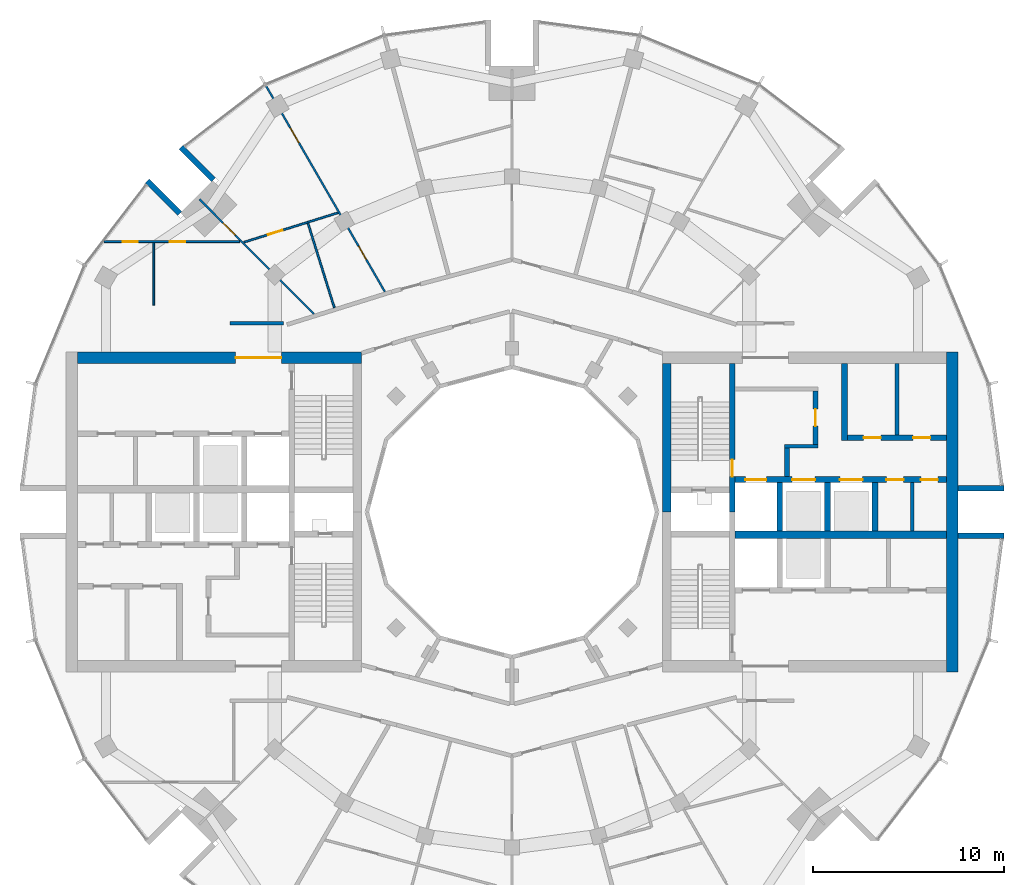
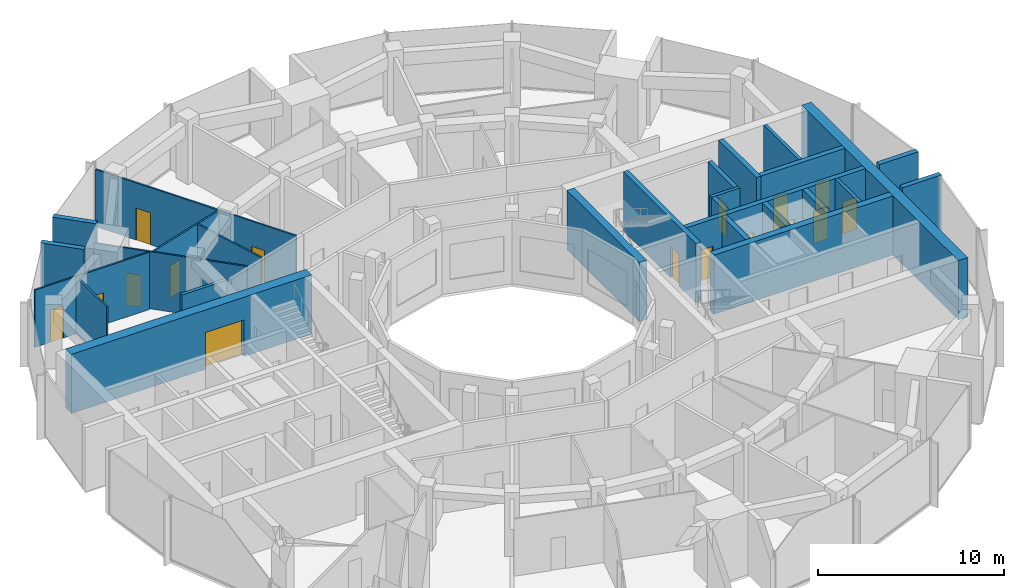
# One storey, part 11 of 15: 27 walls, 16 doors, 16 openings.
"""IFC4 building model written with IfcOpenShell, lengths in metres."""

from ifc_helpers import new_model, si_unit, direction, frame, frame_2d, origin, place, context, subcontext, project, spatial, rectangle, extrude, material, layer, layer_set, type_object, element, fill, save


model = new_model("IFC4")

# Units and contexts
model_context = context("Model", 3, precision=1e-05, world=origin(), true_north=direction((0.0, 1.0)))
body_context = subcontext(model_context, "Body", "Model", "MODEL_VIEW")
ifc_project = project(units=[si_unit("LENGTHUNIT", "METRE"), si_unit("AREAUNIT", "SQUARE_METRE"), si_unit("VOLUMEUNIT", "CUBIC_METRE"), si_unit("PLANEANGLEUNIT", "RADIAN"), si_unit("MASSUNIT", "GRAM", prefix="KILO")], contexts=[model_context])

# Site, building, storey
site_placement = place(None, origin())
site = spatial("IfcSite", under=ifc_project, at=site_placement, CompositionType="ELEMENT")
building_placement = place(site_placement, origin())
building = spatial("IfcBuilding", under=site, at=building_placement, Name="Torre Brocal", CompositionType="ELEMENT")
storey_placement = place(building_placement, frame((0.0, 0.0, 241.5)))
storey = spatial("IfcBuildingStorey", under=building, at=storey_placement, Name="L55", CompositionType="ELEMENT", Elevation=241.5)

# Walls
ifc_material_1 = material(Name="Masonry block", Category="masonry")
ifc_layer_1 = layer(ifc_material_1, 0.199951171875)
ifc_layer_set_1 = layer_set([ifc_layer_1], Name="Masonry block")
wall_type_1 = type_object("IfcWallType", Name="CORE PARTITION 200", PredefinedType="PARTITIONING", material=ifc_layer_set_1)
wall_1_placement = place(storey_placement, frame((101.0, 74.0, 0.0), z_axis=(0.0, 0.0, 1.0), x_axis=(0.0, 1.0, 0.0)))
element("IfcWall", 1, at=wall_1_placement, inside=storey, type_object=wall_type_1, Name="Wall CP200", PredefinedType="PARTITIONING", context=body_context, shape_type="SweptSolid", body=[
    extrude(rectangle(XDim=2.550048828125, YDim=0.199951171875, at=frame_2d((1.27490234375, 0.0))), origin(), (0.0, 0.0, 1.0), 3.8798828125),
])
wall_2_placement = place(storey_placement, frame((100.199951171875, 79.050048828125, 0.0), z_axis=(0.0, 0.0, 1.0), x_axis=(0.0, 1.0, 0.0)))
element("IfcWall", 2, at=wall_2_placement, inside=storey, type_object=wall_type_1, Name="Wall CP200", PredefinedType="PARTITIONING", context=body_context, shape_type="SweptSolid", body=[
    extrude(rectangle(XDim=3.75, YDim=0.199951171875, at=frame_2d((1.875, 0.0))), origin(), (0.0, 0.0, 1.0), 3.8798828125),
])
ifc_material_2 = material(Name="Concrete C60", Category="concrete")
ifc_layer_2 = layer(ifc_material_2, 0.199951171875)
ifc_layer_set_2 = layer_set([ifc_layer_2], Name="Concrete C60")
wall_type_2 = type_object("IfcWallType", Name="CORE WALL 200 C60", PredefinedType="SHEAR", material=ifc_layer_set_2)
wall_3_placement = place(storey_placement, frame((94.300048828125, 78.449951171875, 0.0), z_axis=(0.0, 0.0, 1.0), x_axis=(1.0, 0.0, 0.0)))
element("IfcWall", 3, at=wall_3_placement, inside=storey, type_object=wall_type_2, Name="Wall CW200-60", PredefinedType="SHEAR", context=body_context, shape_type="SweptSolid", body=[
    extrude(rectangle(XDim=1.75, YDim=0.199951171875, at=frame_2d((0.875, 0.0))), origin(), (0.0, 0.0, 1.0), 3.8798828125),
])

# Wall, opening, door
ifc_material_3 = material(Name="Concrete C60", Category="concrete")
ifc_layer_3 = layer(ifc_material_3, 0.25)
ifc_layer_set_3 = layer_set([ifc_layer_3], Name="Concrete C60")
wall_type_3 = type_object("IfcWallType", Name="CORE WALL 250 C60", PredefinedType="SHEAR", material=ifc_layer_set_3)
wall_4_placement = place(storey_placement, frame((95.925048828125, 78.550048828125, 0.0), z_axis=(0.0, 0.0, 1.0), x_axis=(0.0, 1.0, 0.0)))
wall_4 = element("IfcWall", 4, at=wall_4_placement, inside=storey, type_object=wall_type_3, Name="Wall CW250-60", PredefinedType="SHEAR", context=body_context, shape_type="SweptSolid", body=[
    extrude(rectangle(XDim=2.800048828125, YDim=0.25, at=frame_2d((1.39990234375, 0.0))), origin(), (0.0, 0.0, 1.0), 3.8798828125),
])
opening_1_placement = place(wall_4_placement, frame((0.949951171875, 0.0, 0.0)))
opening_1 = element("IfcOpeningElement", 5, at=opening_1_placement, cuts=wall_4, Name="Opening E-D08", PredefinedType="OPENING", context=body_context, shape_type="SweptSolid", body=[
    extrude(rectangle(XDim=0.89990234375, YDim=2.10009765625, at=frame_2d((0.449951171875, 1.050048828125))), frame((0.0, 0.135009765625, 0.0), z_axis=(0.0, -1.0, 0.0), x_axis=(1.0, 0.0, 0.0)), (0.0, 0.0, 1.0), 0.27001953125),
])
ifc_material_4 = material(Name="Steel A653", Category="steel")
door_type_1 = type_object("IfcDoorType", Name="LOBBY DOOR FD120 900X2100", OperationType="SINGLE_SWING_RIGHT", PredefinedType="DOOR", material=ifc_material_4)
door_1_placement = place(opening_1_placement, origin())
door_1 = element("IfcDoor", 6, at=door_1_placement, inside=storey, type_object=door_type_1, Name="Door E-D08", OperationType="SINGLE_SWING_LEFT", OverallHeight=2.10009765625, OverallWidth=0.89990234375, PredefinedType="DOOR", context=body_context, shape_type="SweptSolid", body=[
    extrude(rectangle(XDim=0.89990234375, YDim=2.10009765625, at=frame_2d((0.449951171875, 1.050048828125))), frame((0.0, 0.02490234375, 0.0), z_axis=(0.0, -1.0, 0.0), x_axis=(1.0, 0.0, 0.0)), (0.0, 0.0, 1.0), 0.050048828125),
])
fill(opening_1, door_1)

# Wall
wall_5_placement = place(storey_placement, frame((94.425048828125, 76.85009765625, 0.0), z_axis=(0.0, 0.0, 1.0), x_axis=(0.0, 1.0, 0.0)))
element("IfcWall", 7, at=wall_5_placement, inside=storey, type_object=wall_type_3, Name="Wall CW250-60", PredefinedType="SHEAR", context=body_context, shape_type="SweptSolid", body=[
    extrude(rectangle(XDim=1.5, YDim=0.25, at=frame_2d((0.75, 0.0))), origin(), (0.0, 0.0, 1.0), 3.8798828125),
])

# Wall, opening, door
ifc_material_5 = material(Name="Concrete C60", Category="concrete")
ifc_layer_4 = layer(ifc_material_5, 0.300048828125)
ifc_layer_set_4 = layer_set([ifc_layer_4], Name="Concrete C60")
wall_type_4 = type_object("IfcWallType", Name="CORE WALL 300 C60", PredefinedType="SHEAR", material=ifc_layer_set_4)
wall_6_placement = place(storey_placement, frame((91.550048828125, 75.0, 0.0), z_axis=(0.0, 0.0, 1.0), x_axis=(0.0, 1.0, 0.0)))
wall_6 = element("IfcWall", 8, at=wall_6_placement, inside=storey, type_object=wall_type_4, Name="Wall CW300-60", PredefinedType="SHEAR", context=body_context, shape_type="SweptSolid", body=[
    extrude(rectangle(XDim=7.800048828125, YDim=0.300048828125, at=frame_2d((3.89990234375, 0.0))), origin(), (0.0, 0.0, 1.0), 3.8798828125),
])
opening_2_placement = place(wall_6_placement, frame((1.85009765625, 0.0, 0.0)))
opening_2 = element("IfcOpeningElement", 9, at=opening_2_placement, cuts=wall_6, Name="Opening E-D02", PredefinedType="OPENING", context=body_context, shape_type="SweptSolid", body=[
    extrude(rectangle(XDim=0.89990234375, YDim=2.10009765625, at=frame_2d((0.449951171875, 1.050048828125))), frame((0.0, 0.159912109375, 0.0), z_axis=(0.0, -1.0, 0.0), x_axis=(1.0, 0.0, 0.0)), (0.0, 0.0, 1.0), 0.320068359375),
])
ifc_material_6 = material(Name="Steel A653", Category="steel")
door_type_2 = type_object("IfcDoorType", Name="STAIR DOOR FD120 900X2100", OperationType="SINGLE_SWING_RIGHT", PredefinedType="DOOR", material=ifc_material_6)
door_2_placement = place(opening_2_placement, origin())
door_2 = element("IfcDoor", 10, at=door_2_placement, inside=storey, type_object=door_type_2, Name="Door E-D02", OperationType="SINGLE_SWING_LEFT", OverallHeight=2.10009765625, OverallWidth=0.89990234375, PredefinedType="DOOR", context=body_context, shape_type="SweptSolid", body=[
    extrude(rectangle(XDim=0.89990234375, YDim=2.10009765625, at=frame_2d((0.449951171875, 1.050048828125))), frame((0.0, 0.02490234375, 0.0), z_axis=(0.0, -1.0, 0.0), x_axis=(1.0, 0.0, 0.0)), (0.0, 0.0, 1.0), 0.050048828125),
])
fill(opening_2, door_2)

# Wall, openings, doors
wall_7_placement = place(storey_placement, frame((91.699951171875, 76.699951171875, 0.0), z_axis=(0.0, 0.0, 1.0), x_axis=(1.0, 0.0, 0.0)))
wall_7 = element("IfcWall", 11, at=wall_7_placement, inside=storey, type_object=wall_type_4, Name="Wall CW300-60", PredefinedType="SHEAR", context=body_context, shape_type="SweptSolid", body=[
    extrude(rectangle(XDim=11.10009765625, YDim=0.300048828125, at=frame_2d((5.550048828125, 0.0))), origin(), (0.0, 0.0, 1.0), 3.8798828125),
])
opening_3_placement = place(wall_7_placement, frame((0.550048828125, 0.0, 0.0)))
opening_3 = element("IfcOpeningElement", 12, at=opening_3_placement, cuts=wall_7, Name="Opening LD", PredefinedType="OPENING", context=body_context, shape_type="SweptSolid", body=[
    extrude(rectangle(XDim=1.10009765625, YDim=2.10009765625, at=frame_2d((0.550048828125, 1.050048828125))), frame((0.0, 0.159912109375, 0.0), z_axis=(0.0, -1.0, 0.0), x_axis=(1.0, 0.0, 0.0)), (0.0, 0.0, 1.0), 0.320068359375),
])
opening_4_placement = place(wall_7_placement, frame((3.0, 0.0, 0.0)))
opening_4 = element("IfcOpeningElement", 13, at=opening_4_placement, cuts=wall_7, Name="Opening LD12", PredefinedType="OPENING", context=body_context, shape_type="SweptSolid", body=[
    extrude(rectangle(XDim=1.199951171875, YDim=2.10009765625, at=frame_2d((0.60009765625, 1.050048828125))), frame((0.0, 0.159912109375, 0.0), z_axis=(0.0, -1.0, 0.0), x_axis=(1.0, 0.0, 0.0)), (0.0, 0.0, 1.0), 0.320068359375),
])
opening_5_placement = place(wall_7_placement, frame((5.5, 0.0, 0.0)))
opening_5 = element("IfcOpeningElement", 14, at=opening_5_placement, cuts=wall_7, Name="Opening LD12", PredefinedType="OPENING", context=body_context, shape_type="SweptSolid", body=[
    extrude(rectangle(XDim=1.199951171875, YDim=2.10009765625, at=frame_2d((0.60009765625, 1.050048828125))), frame((0.0, 0.159912109375, 0.0), z_axis=(0.0, -1.0, 0.0), x_axis=(1.0, 0.0, 0.0)), (0.0, 0.0, 1.0), 0.320068359375),
])
opening_6_placement = place(wall_7_placement, frame((7.949951171875, 0.0, 0.0)))
opening_6 = element("IfcOpeningElement", 15, at=opening_6_placement, cuts=wall_7, Name="Opening E-D04", PredefinedType="OPENING", context=body_context, shape_type="SweptSolid", body=[
    extrude(rectangle(XDim=0.89990234375, YDim=2.10009765625, at=frame_2d((0.449951171875, 1.050048828125))), frame((0.0, 0.159912109375, 0.0), z_axis=(0.0, -1.0, 0.0), x_axis=(1.0, 0.0, 0.0)), (0.0, 0.0, 1.0), 0.320068359375),
])
opening_7_placement = place(wall_7_placement, frame((9.75, 0.0, 0.0)))
opening_7 = element("IfcOpeningElement", 16, at=opening_7_placement, cuts=wall_7, Name="Opening E-D05", PredefinedType="OPENING", context=body_context, shape_type="SweptSolid", body=[
    extrude(rectangle(XDim=0.89990234375, YDim=2.10009765625, at=frame_2d((0.449951171875, 1.050048828125))), frame((0.0, 0.159912109375, 0.0), z_axis=(0.0, -1.0, 0.0), x_axis=(1.0, 0.0, 0.0)), (0.0, 0.0, 1.0), 0.320068359375),
])
ifc_material_7 = material(Name="Stainless steel AISI 316", Category="steel")
door_type_3 = type_object("IfcDoorType", Name="LIFT LANDING DOOR 1100X2100", OperationType="DOUBLE_DOOR_SLIDING", PredefinedType="DOOR", material=ifc_material_7)
door_3_placement = place(opening_3_placement, origin())
door_3 = element("IfcDoor", 17, at=door_3_placement, inside=storey, type_object=door_type_3, Name="Door LD", OperationType="DOUBLE_DOOR_SLIDING", OverallHeight=2.10009765625, OverallWidth=1.10009765625, PredefinedType="DOOR", context=body_context, shape_type="SweptSolid", body=[
    extrude(rectangle(XDim=1.10009765625, YDim=2.10009765625, at=frame_2d((0.550048828125, 1.050048828125))), frame((0.0, 0.02490234375, 0.0), z_axis=(0.0, -1.0, 0.0), x_axis=(1.0, 0.0, 0.0)), (0.0, 0.0, 1.0), 0.050048828125),
])
fill(opening_3, door_3)
ifc_material_8 = material(Name="Stainless steel AISI 316", Category="steel")
door_type_4 = type_object("IfcDoorType", Name="LIFT LANDING DOOR 1200X2100", OperationType="DOUBLE_DOOR_SLIDING", PredefinedType="DOOR", material=ifc_material_8)
door_4_placement = place(opening_4_placement, origin())
door_4 = element("IfcDoor", 18, at=door_4_placement, inside=storey, type_object=door_type_4, Name="Door LD12", OperationType="DOUBLE_DOOR_SLIDING", OverallHeight=2.10009765625, OverallWidth=1.199951171875, PredefinedType="DOOR", context=body_context, shape_type="SweptSolid", body=[
    extrude(rectangle(XDim=1.199951171875, YDim=2.10009765625, at=frame_2d((0.60009765625, 1.050048828125))), frame((0.0, 0.02490234375, 0.0), z_axis=(0.0, -1.0, 0.0), x_axis=(1.0, 0.0, 0.0)), (0.0, 0.0, 1.0), 0.050048828125),
])
fill(opening_4, door_4)
door_5_placement = place(opening_5_placement, origin())
door_5 = element("IfcDoor", 19, at=door_5_placement, inside=storey, type_object=door_type_4, Name="Door LD12", OperationType="DOUBLE_DOOR_SLIDING", OverallHeight=2.10009765625, OverallWidth=1.199951171875, PredefinedType="DOOR", context=body_context, shape_type="SweptSolid", body=[
    extrude(rectangle(XDim=1.199951171875, YDim=2.10009765625, at=frame_2d((0.60009765625, 1.050048828125))), frame((0.0, 0.02490234375, 0.0), z_axis=(0.0, -1.0, 0.0), x_axis=(1.0, 0.0, 0.0)), (0.0, 0.0, 1.0), 0.050048828125),
])
fill(opening_5, door_5)
ifc_material_9 = material(Name="Steel A653", Category="steel")
door_type_5 = type_object("IfcDoorType", Name="ROOM DOOR FD30S 900X2100", OperationType="SINGLE_SWING_LEFT", PredefinedType="DOOR", material=ifc_material_9)
door_6_placement = place(opening_6_placement, frame((0.89990234375, 0.0, 0.0), z_axis=(0.0, 0.0, 1.0), x_axis=(-1.0, 0.0, 0.0)))
door_6 = element("IfcDoor", 20, at=door_6_placement, inside=storey, type_object=door_type_5, Name="Door E-D04", OperationType="SINGLE_SWING_LEFT", OverallHeight=2.10009765625, OverallWidth=0.89990234375, PredefinedType="DOOR", context=body_context, shape_type="SweptSolid", body=[
    extrude(rectangle(XDim=0.89990234375, YDim=2.10009765625, at=frame_2d((0.449951171875, 1.050048828125))), frame((0.0, 0.02490234375, 0.0), z_axis=(0.0, -1.0, 0.0), x_axis=(1.0, 0.0, 0.0)), (0.0, 0.0, 1.0), 0.050048828125),
])
fill(opening_6, door_6)
door_7_placement = place(opening_7_placement, frame((0.89990234375, 0.0, 0.0), z_axis=(0.0, 0.0, 1.0), x_axis=(-1.0, 0.0, 0.0)))
door_7 = element("IfcDoor", 21, at=door_7_placement, inside=storey, type_object=door_type_5, Name="Door E-D05", OperationType="SINGLE_SWING_RIGHT", OverallHeight=2.10009765625, OverallWidth=0.89990234375, PredefinedType="DOOR", context=body_context, shape_type="SweptSolid", body=[
    extrude(rectangle(XDim=0.89990234375, YDim=2.10009765625, at=frame_2d((0.449951171875, 1.050048828125))), frame((0.0, 0.02490234375, 0.0), z_axis=(0.0, -1.0, 0.0), x_axis=(1.0, 0.0, 0.0)), (0.0, 0.0, 1.0), 0.050048828125),
])
fill(opening_7, door_7)

# Walls
for number, where, z_axis, x_axis, name in (
    (22, (94.050048828125, 74.0, 0.0), (0.0, 0.0, 1.0), (0.0, 1.0, 0.0), "Wall CW300-60"),
    (23, (96.550048828125, 74.0, 0.0), (0.0, 0.0, 1.0), (0.0, 1.0, 0.0), "Wall CW300-60"),
    (24, (99.050048828125, 74.0, 0.0), (0.0, 0.0, 1.0), (0.0, 1.0, 0.0), "Wall CW300-60"),
):
    element("IfcWall", number, at=place(storey_placement, frame(where, z_axis=z_axis, x_axis=x_axis)), inside=storey, type_object=wall_type_4, Name=name, PredefinedType="SHEAR", context=body_context, shape_type="SweptSolid", body=[
        extrude(rectangle(XDim=2.550048828125, YDim=0.300048828125, at=frame_2d((1.27490234375, 0.0))), origin(), (0.0, 0.0, 1.0), 3.8798828125),
    ])
wall_8_placement = place(storey_placement, frame((97.449951171875, 78.75, 0.0), z_axis=(0.0, 0.0, 1.0), x_axis=(0.0, 1.0, 0.0)))
element("IfcWall", 25, at=wall_8_placement, inside=storey, type_object=wall_type_4, Name="Wall CW300-60", PredefinedType="SHEAR", context=body_context, shape_type="SweptSolid", body=[
    extrude(rectangle(XDim=4.050048828125, YDim=0.300048828125, at=frame_2d((2.02490234375, 0.0))), origin(), (0.0, 0.0, 1.0), 3.8798828125),
])

# Wall, openings, doors
wall_9_placement = place(storey_placement, frame((97.60009765625, 78.89990234375, 0.0), z_axis=(0.0, 0.0, 1.0), x_axis=(1.0, 0.0, 0.0)))
wall_9 = element("IfcWall", 26, at=wall_9_placement, inside=storey, type_object=wall_type_4, Name="Wall CW300-60", PredefinedType="SHEAR", context=body_context, shape_type="SweptSolid", body=[
    extrude(rectangle(XDim=5.199951171875, YDim=0.300048828125, at=frame_2d((2.60009765625, 0.0))), origin(), (0.0, 0.0, 1.0), 3.8798828125),
])
opening_8_placement = place(wall_9_placement, frame((0.85009765625, 0.0, 0.0)))
opening_8 = element("IfcOpeningElement", 27, at=opening_8_placement, cuts=wall_9, Name="Opening E-D09", PredefinedType="OPENING", context=body_context, shape_type="SweptSolid", body=[
    extrude(rectangle(XDim=0.89990234375, YDim=2.10009765625, at=frame_2d((0.449951171875, 1.050048828125))), frame((0.0, 0.159912109375, 0.0), z_axis=(0.0, -1.0, 0.0), x_axis=(1.0, 0.0, 0.0)), (0.0, 0.0, 1.0), 0.320068359375),
])
opening_9_placement = place(wall_9_placement, frame((3.449951171875, 0.0, 0.0)))
opening_9 = element("IfcOpeningElement", 28, at=opening_9_placement, cuts=wall_9, Name="Opening E-D10", PredefinedType="OPENING", context=body_context, shape_type="SweptSolid", body=[
    extrude(rectangle(XDim=0.89990234375, YDim=2.10009765625, at=frame_2d((0.449951171875, 1.050048828125))), frame((0.0, 0.159912109375, 0.0), z_axis=(0.0, -1.0, 0.0), x_axis=(1.0, 0.0, 0.0)), (0.0, 0.0, 1.0), 0.320068359375),
])
door_8_placement = place(opening_8_placement, origin())
door_8 = element("IfcDoor", 29, at=door_8_placement, inside=storey, type_object=door_type_5, Name="Door E-D09", OperationType="SINGLE_SWING_RIGHT", OverallHeight=2.10009765625, OverallWidth=0.89990234375, PredefinedType="DOOR", context=body_context, shape_type="SweptSolid", body=[
    extrude(rectangle(XDim=0.89990234375, YDim=2.10009765625, at=frame_2d((0.449951171875, 1.050048828125))), frame((0.0, 0.02490234375, 0.0), z_axis=(0.0, -1.0, 0.0), x_axis=(1.0, 0.0, 0.0)), (0.0, 0.0, 1.0), 0.050048828125),
])
fill(opening_8, door_8)
door_9_placement = place(opening_9_placement, origin())
door_9 = element("IfcDoor", 30, at=door_9_placement, inside=storey, type_object=door_type_5, Name="Door E-D10", OperationType="SINGLE_SWING_LEFT", OverallHeight=2.10009765625, OverallWidth=0.89990234375, PredefinedType="DOOR", context=body_context, shape_type="SweptSolid", body=[
    extrude(rectangle(XDim=0.89990234375, YDim=2.10009765625, at=frame_2d((0.449951171875, 1.050048828125))), frame((0.0, 0.02490234375, 0.0), z_axis=(0.0, -1.0, 0.0), x_axis=(1.0, 0.0, 0.0)), (0.0, 0.0, 1.0), 0.050048828125),
])
fill(opening_9, door_9)

# Walls
ifc_material_10 = material(Name="Concrete C60", Category="concrete")
ifc_layer_5 = layer(ifc_material_10, 0.39990234375)
ifc_layer_set_5 = layer_set([ifc_layer_5], Name="Concrete C60")
wall_type_5 = type_object("IfcWallType", Name="CORE WALL 400 C60", PredefinedType="SHEAR", material=ifc_layer_set_5)
wall_10_placement = place(storey_placement, frame((91.699951171875, 73.800048828125, 0.0), z_axis=(0.0, 0.0, 1.0), x_axis=(1.0, 0.0, 0.0)))
element("IfcWall", 31, at=wall_10_placement, inside=storey, type_object=wall_type_5, Name="Wall CW400-60", PredefinedType="SHEAR", context=body_context, shape_type="SweptSolid", body=[
    extrude(rectangle(XDim=11.10009765625, YDim=0.39990234375, at=frame_2d((5.550048828125, 0.0))), origin(), (0.0, 0.0, 1.0), 3.8798828125),
])
ifc_material_11 = material(Name="Concrete C60", Category="concrete")
ifc_layer_6 = layer(ifc_material_11, 0.449951171875)
ifc_layer_set_6 = layer_set([ifc_layer_6], Name="Concrete C60")
wall_type_6 = type_object("IfcWallType", Name="CORE WALL 450 C60", PredefinedType="SHEAR", material=ifc_layer_set_6)
wall_11_placement = place(storey_placement, frame((88.125, 75.0, 0.0), z_axis=(0.0, 0.0, 1.0), x_axis=(0.0, 1.0, 0.0)))
element("IfcWall", 32, at=wall_11_placement, inside=storey, type_object=wall_type_6, Name="Wall CW450-60", PredefinedType="SHEAR", context=body_context, shape_type="SweptSolid", body=[
    extrude(rectangle(XDim=7.800048828125, YDim=0.449951171875, at=frame_2d((3.89990234375, 0.0))), origin(), (0.0, 0.0, 1.0), 3.8798828125),
])
ifc_material_12 = material(Name="Concrete C60", Category="concrete")
ifc_layer_7 = layer(ifc_material_12, 0.60009765625)
ifc_layer_set_7 = layer_set([ifc_layer_7], Name="Concrete C60")
wall_type_7 = type_object("IfcWallType", Name="CORE WALL 600 C60", PredefinedType="SHEAR", material=ifc_layer_set_7)
wall_12_placement = place(storey_placement, frame((103.10009765625, 66.60009765625, 0.0), z_axis=(0.0, 0.0, 1.0), x_axis=(0.0, 1.0, 0.0)))
element("IfcWall", 33, at=wall_12_placement, inside=storey, type_object=wall_type_7, Name="Wall CW600-60", PredefinedType="SHEAR", context=body_context, shape_type="SweptSolid", body=[
    extrude(rectangle(XDim=16.7998046875, YDim=0.60009765625, at=frame_2d((8.39990234375, 0.0))), origin(), (0.0, 0.0, 1.0), 3.8798828125),
])

# Wall, opening, door
wall_13_placement = place(storey_placement, frame((72.10009765625, 83.10009765625, 0.0), z_axis=(0.0, 0.0, 1.0), x_axis=(-1.0, 0.0, 0.0)))
wall_13 = element("IfcWall", 34, at=wall_13_placement, inside=storey, type_object=wall_type_7, Name="Wall CW600-60", PredefinedType="SHEAR", context=body_context, shape_type="SweptSolid", body=[
    extrude(rectangle(XDim=14.900146484375, YDim=0.60009765625, at=frame_2d((7.4501953125, 0.0))), origin(), (0.0, 0.0, 1.0), 3.8798828125),
])
opening_10_placement = place(wall_13_placement, frame((4.199951171875, 0.0, 0.0)))
opening_10 = element("IfcOpeningElement", 35, at=opening_10_placement, cuts=wall_13, Name="Opening W-D12", PredefinedType="OPENING", context=body_context, shape_type="SweptSolid", body=[
    extrude(rectangle(XDim=2.39990234375, YDim=2.39990234375, at=frame_2d((1.199951171875, 1.199951171875))), frame((0.0, 0.31005859375, 0.0), z_axis=(0.0, -1.0, 0.0), x_axis=(1.0, 0.0, 0.0)), (0.0, 0.0, 1.0), 0.6201171875),
])
ifc_material_13 = material(Name="Steel A653", Category="steel")
door_type_6 = type_object("IfcDoorType", Name="DOUBLE FIRE DOOR FD90 2400X2400", OperationType="DOUBLE_DOOR_SINGLE_SWING", PredefinedType="DOOR", material=ifc_material_13)
door_10_placement = place(opening_10_placement, origin())
door_10 = element("IfcDoor", 36, at=door_10_placement, inside=storey, type_object=door_type_6, Name="Door W-D12", OperationType="DOUBLE_DOOR_SINGLE_SWING", OverallHeight=2.39990234375, OverallWidth=2.39990234375, PredefinedType="DOOR", context=body_context, shape_type="SweptSolid", body=[
    extrude(rectangle(XDim=2.39990234375, YDim=2.39990234375, at=frame_2d((1.199951171875, 1.199951171875))), frame((0.0, 0.02490234375, 0.0), z_axis=(0.0, -1.0, 0.0), x_axis=(1.0, 0.0, 0.0)), (0.0, 0.0, 1.0), 0.050048828125),
])
fill(opening_10, door_10)

# Walls
ifc_material_14 = material(Name="Concrete C60", Category="concrete")
ifc_layer_8 = layer(ifc_material_14, 0.300048828125)
ifc_layer_set_8 = layer_set([ifc_layer_8], Name="Concrete C60")
wall_type_8 = type_object("IfcWallType", Name="NOTCH RETURN WALL 300 C60", PredefinedType="NOTDEFINED", material=ifc_layer_set_8)
for number, where, z_axis, x_axis, name in (
    (37, (103.39990234375, 73.75, 0.0), (0.0, 0.0, 1.0), (1.0, 0.0, 0.0), "NOTCH RETURN WALL"),
    (38, (103.39990234375, 76.25, 0.0), (0.0, 0.0, 1.0), (1.0, 0.0, 0.0), "NOTCH RETURN WALL"),
    (39, (64.337646484375, 92.43017578125, 0.0), (0.0, 0.0, 1.0), (-0.707106781187, 0.707106781187, 0.0), "NOTCH RETURN WALL"),
    (40, (62.56982421875, 90.662353515625, 0.0), (0.0, 0.0, 1.0), (-0.707106781187, 0.707106781187, 0.0), "NOTCH RETURN WALL"),
):
    element("IfcWall", number, at=place(storey_placement, frame(where, z_axis=z_axis, x_axis=x_axis)), inside=storey, type_object=wall_type_8, Name=name, PredefinedType="NOTDEFINED", context=body_context, shape_type="SweptSolid", body=[
        extrude(rectangle(XDim=2.415771484375, YDim=0.300048828125, at=frame_2d((1.2080078125, 0.0))), origin(), (0.0, 0.0, 1.0), 4.199951171875),
    ])

# Wall, openings, doors
ifc_material_15 = material(Name="Gypsum board", Category="Gypsum")
ifc_layer_9 = layer(ifc_material_15, 0.10009765625)
ifc_layer_set_9 = layer_set([ifc_layer_9], Name="Gypsum board")
wall_type_9 = type_object("IfcWallType", Name="PARTITION 100", PredefinedType="PARTITIONING", material=ifc_layer_set_9)
wall_14_placement = place(storey_placement, frame((58.60009765625, 89.18798828125, 0.0), z_axis=(0.0, 0.0, 1.0), x_axis=(1.0, 0.0, 0.0)))
wall_14 = element("IfcWall", 41, at=wall_14_placement, inside=storey, type_object=wall_type_9, Name="BATHROOM WALL", PredefinedType="PARTITIONING", context=body_context, shape_type="SweptSolid", body=[
    extrude(rectangle(XDim=7.102783203125, YDim=0.10009765625, at=frame_2d((3.55126953125, 0.0))), origin(), (0.0, 0.0, 1.0), 3.75),
])
opening_11_placement = place(wall_14_placement, frame((3.446533203125, 0.0, 0.0)))
opening_11 = element("IfcOpeningElement", 42, at=opening_11_placement, cuts=wall_14, Name="Opening B03-D15", PredefinedType="OPENING", context=body_context, shape_type="SweptSolid", body=[
    extrude(rectangle(XDim=0.800048828125, YDim=2.10009765625, at=frame_2d((0.39990234375, 1.050048828125))), frame((0.0, 0.06005859375, 0.0), z_axis=(0.0, -1.0, 0.0), x_axis=(1.0, 0.0, 0.0)), (0.0, 0.0, 1.0), 0.1201171875),
])
opening_12_placement = place(wall_14_placement, frame((0.965087890625, 0.0, 0.0)))
opening_12 = element("IfcOpeningElement", 43, at=opening_12_placement, cuts=wall_14, Name="Opening B03-D16", PredefinedType="OPENING", context=body_context, shape_type="SweptSolid", body=[
    extrude(rectangle(XDim=0.800048828125, YDim=2.10009765625, at=frame_2d((0.39990234375, 1.050048828125))), frame((0.0, 0.06005859375, 0.0), z_axis=(0.0, -1.0, 0.0), x_axis=(1.0, 0.0, 0.0)), (0.0, 0.0, 1.0), 0.1201171875),
])
ifc_material_16 = material(Name="Timber", Category="wood")
door_type_7 = type_object("IfcDoorType", Name="BATHROOM DOOR 800X2100", OperationType="SINGLE_SWING_LEFT", PredefinedType="DOOR", material=ifc_material_16)
door_11_placement = place(opening_11_placement, frame((0.800048828125, 0.0, 0.0), z_axis=(0.0, 0.0, 1.0), x_axis=(-1.0, 0.0, 0.0)))
door_11 = element("IfcDoor", 44, at=door_11_placement, inside=storey, type_object=door_type_7, Name="B03-D15", OperationType="SINGLE_SWING_RIGHT", OverallHeight=2.10009765625, OverallWidth=0.800048828125, PredefinedType="DOOR", context=body_context, shape_type="SweptSolid", body=[
    extrude(rectangle(XDim=0.800048828125, YDim=2.10009765625, at=frame_2d((0.39990234375, 1.050048828125))), frame((0.0, 0.02490234375, 0.0), z_axis=(0.0, -1.0, 0.0), x_axis=(1.0, 0.0, 0.0)), (0.0, 0.0, 1.0), 0.050048828125),
])
fill(opening_11, door_11)
door_12_placement = place(opening_12_placement, origin())
door_12 = element("IfcDoor", 45, at=door_12_placement, inside=storey, type_object=door_type_7, Name="B03-D16", OperationType="SINGLE_SWING_LEFT", OverallHeight=2.10009765625, OverallWidth=0.800048828125, PredefinedType="DOOR", context=body_context, shape_type="SweptSolid", body=[
    extrude(rectangle(XDim=0.800048828125, YDim=2.10009765625, at=frame_2d((0.39990234375, 1.050048828125))), frame((0.0, 0.02490234375, 0.0), z_axis=(0.0, -1.0, 0.0), x_axis=(1.0, 0.0, 0.0)), (0.0, 0.0, 1.0), 0.050048828125),
])
fill(opening_12, door_12)

# Wall
wall_15_placement = place(storey_placement, frame((61.199951171875, 85.85498046875, 0.0), z_axis=(0.0, 0.0, 1.0), x_axis=(0.0, 1.0, 0.0)))
element("IfcWall", 46, at=wall_15_placement, inside=storey, type_object=wall_type_9, Name="BATHROOM WALL", PredefinedType="PARTITIONING", context=body_context, shape_type="SweptSolid", body=[
    extrude(rectangle(XDim=3.282958984375, YDim=0.10009765625, at=frame_2d((1.6416015625, 0.0))), origin(), (0.0, 0.0, 1.0), 3.75),
])

# Wall, opening, door
wall_16_placement = place(storey_placement, frame((63.599365234375, 91.408935546875, 0.0), z_axis=(0.0, 0.0, 1.0), x_axis=(0.706948776529, -0.707264750546, 0.0)))
wall_16 = element("IfcWall", 47, at=wall_16_placement, inside=storey, type_object=wall_type_9, Name="BATHROOM WALL", PredefinedType="PARTITIONING", context=body_context, shape_type="SweptSolid", body=[
    extrude(rectangle(XDim=8.499267578125, YDim=0.10009765625, at=frame_2d((4.24951171875, 0.0))), origin(), (0.0, 0.0, 1.0), 3.75),
])
opening_13_placement = place(wall_16_placement, frame((1.752685546875, 0.0, 0.0)))
opening_13 = element("IfcOpeningElement", 48, at=opening_13_placement, cuts=wall_16, Name="Opening B03-D14", PredefinedType="OPENING", context=body_context, shape_type="SweptSolid", body=[
    extrude(rectangle(XDim=0.89990234375, YDim=2.10009765625, at=frame_2d((0.449951171875, 1.050048828125))), frame((0.0, 0.06005859375, 0.0), z_axis=(0.0, -1.0, 0.0), x_axis=(1.0, 0.0, 0.0)), (0.0, 0.0, 1.0), 0.1201171875),
])
ifc_material_17 = material(Name="Timber", Category="wood")
door_type_8 = type_object("IfcDoorType", Name="ROOM DOOR 900X2100", OperationType="SINGLE_SWING_LEFT", PredefinedType="DOOR", material=ifc_material_17)
door_13_placement = place(opening_13_placement, frame((0.89990234375, 0.0, 0.0), z_axis=(0.0, 0.0, 1.0), x_axis=(-1.0, 0.0, 0.0)))
door_13 = element("IfcDoor", 49, at=door_13_placement, inside=storey, type_object=door_type_8, Name="B03-D14", OperationType="SINGLE_SWING_RIGHT", OverallHeight=2.10009765625, OverallWidth=0.89990234375, PredefinedType="DOOR", context=body_context, shape_type="SweptSolid", body=[
    extrude(rectangle(XDim=0.89990234375, YDim=2.10009765625, at=frame_2d((0.449951171875, 1.050048828125))), frame((0.0, 0.02490234375, 0.0), z_axis=(0.0, -1.0, 0.0), x_axis=(1.0, 0.0, 0.0)), (0.0, 0.0, 1.0), 0.050048828125),
])
fill(opening_13, door_13)

wall_17_placement = place(storey_placement, frame((65.9443359375, 89.156982421875, 0.0), z_axis=(0.0, 0.0, 1.0), x_axis=(0.954248987961, 0.299013158531, 0.0)))
wall_17 = element("IfcWall", 50, at=wall_17_placement, inside=storey, type_object=wall_type_9, Name="BATHROOM WALL", PredefinedType="PARTITIONING", context=body_context, shape_type="SweptSolid", body=[
    extrude(rectangle(XDim=5.159423828125, YDim=0.10009765625, at=frame_2d((2.57958984375, 0.0))), origin(), (0.0, 0.0, 1.0), 3.75),
])
opening_14_placement = place(wall_17_placement, frame((1.315673828125, 0.0, 0.0)))
opening_14 = element("IfcOpeningElement", 51, at=opening_14_placement, cuts=wall_17, Name="Opening B03-D12", PredefinedType="OPENING", context=body_context, shape_type="SweptSolid", body=[
    extrude(rectangle(XDim=0.800048828125, YDim=2.10009765625, at=frame_2d((0.39990234375, 1.050048828125))), frame((0.0, 0.06005859375, 0.0), z_axis=(0.0, -1.0, 0.0), x_axis=(1.0, 0.0, 0.0)), (0.0, 0.0, 1.0), 0.1201171875),
])
door_14_placement = place(opening_14_placement, frame((0.800048828125, 0.0, 0.0), z_axis=(0.0, 0.0, 1.0), x_axis=(-1.0, 0.0, 0.0)))
door_14 = element("IfcDoor", 52, at=door_14_placement, inside=storey, type_object=door_type_7, Name="B03-D12", OperationType="SINGLE_SWING_RIGHT", OverallHeight=2.10009765625, OverallWidth=0.800048828125, PredefinedType="DOOR", context=body_context, shape_type="SweptSolid", body=[
    extrude(rectangle(XDim=0.800048828125, YDim=2.10009765625, at=frame_2d((0.39990234375, 1.050048828125))), frame((0.0, 0.02490234375, 0.0), z_axis=(0.0, -1.0, 0.0), x_axis=(1.0, 0.0, 0.0)), (0.0, 0.0, 1.0), 0.050048828125),
])
fill(opening_14, door_14)

# Wall, openings, doors
wall_18_placement = place(storey_placement, frame((67.103515625, 97.3427734375, 0.0), z_axis=(0.0, 0.0, 1.0), x_axis=(0.499891560959, -0.866088002043, 0.0)))
wall_18 = element("IfcWall", 53, at=wall_18_placement, inside=storey, type_object=wall_type_9, Name="BATHROOM WALL", PredefinedType="PARTITIONING", context=body_context, shape_type="SweptSolid", body=[
    extrude(rectangle(XDim=12.455810546875, YDim=0.10009765625, at=frame_2d((6.22802734375, 0.0))), origin(), (0.0, 0.0, 1.0), 3.75),
])
opening_15_placement = place(wall_18_placement, frame((2.5380859375, 0.0, 0.0)))
opening_15 = element("IfcOpeningElement", 54, at=opening_15_placement, cuts=wall_18, Name="Opening B03-D11", PredefinedType="OPENING", context=body_context, shape_type="SweptSolid", body=[
    extrude(rectangle(XDim=0.89990234375, YDim=2.10009765625, at=frame_2d((0.449951171875, 1.050048828125))), frame((0.0, 0.06005859375, 0.0), z_axis=(0.0, -1.0, 0.0), x_axis=(1.0, 0.0, 0.0)), (0.0, 0.0, 1.0), 0.1201171875),
])
opening_16_placement = place(wall_18_placement, frame((9.696533203125, 0.0, 0.0)))
opening_16 = element("IfcOpeningElement", 55, at=opening_16_placement, cuts=wall_18, Name="Opening B03-D13", PredefinedType="OPENING", context=body_context, shape_type="SweptSolid", body=[
    extrude(rectangle(XDim=0.800048828125, YDim=2.10009765625, at=frame_2d((0.39990234375, 1.050048828125))), frame((0.0, 0.06005859375, 0.0), z_axis=(0.0, -1.0, 0.0), x_axis=(1.0, 0.0, 0.0)), (0.0, 0.0, 1.0), 0.1201171875),
])
door_15_placement = place(opening_16_placement, frame((0.800048828125, 0.0, 0.0), z_axis=(0.0, 0.0, 1.0), x_axis=(-1.0, 0.0, 0.0)))
door_15 = element("IfcDoor", 56, at=door_15_placement, inside=storey, type_object=door_type_7, Name="B03-D13", OperationType="SINGLE_SWING_LEFT", OverallHeight=2.10009765625, OverallWidth=0.800048828125, PredefinedType="DOOR", context=body_context, shape_type="SweptSolid", body=[
    extrude(rectangle(XDim=0.800048828125, YDim=2.10009765625, at=frame_2d((0.39990234375, 1.050048828125))), frame((0.0, 0.02490234375, 0.0), z_axis=(0.0, -1.0, 0.0), x_axis=(1.0, 0.0, 0.0)), (0.0, 0.0, 1.0), 0.050048828125),
])
fill(opening_16, door_15)
door_16_placement = place(opening_15_placement, frame((0.89990234375, 0.0, 0.0), z_axis=(0.0, 0.0, 1.0), x_axis=(-1.0, 0.0, 0.0)))
door_16 = element("IfcDoor", 57, at=door_16_placement, inside=storey, type_object=door_type_8, Name="B03-D11", OperationType="SINGLE_SWING_RIGHT", OverallHeight=2.10009765625, OverallWidth=0.89990234375, PredefinedType="DOOR", context=body_context, shape_type="SweptSolid", body=[
    extrude(rectangle(XDim=0.89990234375, YDim=2.10009765625, at=frame_2d((0.449951171875, 1.050048828125))), frame((0.0, 0.02490234375, 0.0), z_axis=(0.0, -1.0, 0.0), x_axis=(1.0, 0.0, 0.0)), (0.0, 0.0, 1.0), 0.050048828125),
])
fill(opening_15, door_16)

# Walls
wall_19_placement = place(storey_placement, frame((69.291015625, 90.1533203125, 0.0), z_axis=(0.0, 0.0, 1.0), x_axis=(0.299165743488, -0.954201162189, 0.0)))
element("IfcWall", 58, at=wall_19_placement, inside=storey, type_object=wall_type_9, Name="BATHROOM WALL", PredefinedType="PARTITIONING", context=body_context, shape_type="SweptSolid", body=[
    extrude(rectangle(XDim=4.64990234375, YDim=0.10009765625, at=frame_2d((2.324951171875, 0.0))), origin(), (0.0, 0.0, 1.0), 3.75),
])
ifc_material_18 = material(Name="Gypsum board", Category="Gypsum")
ifc_layer_10 = layer(ifc_material_18, 0.199951171875)
ifc_layer_set_10 = layer_set([ifc_layer_10], Name="Gypsum board")
wall_type_10 = type_object("IfcWallType", Name="PARTITION 200 EI60", PredefinedType="PARTITIONING", material=ifc_layer_set_10)
wall_20_placement = place(storey_placement, frame((65.199951171875, 84.89990234375, 0.0), z_axis=(0.0, 0.0, 1.0), x_axis=(1.0, 0.0, 0.0)))
element("IfcWall", 59, at=wall_20_placement, inside=storey, type_object=wall_type_10, Name="GUESTROOM CORRIDOR WALL", PredefinedType="PARTITIONING", context=body_context, shape_type="SweptSolid", body=[
    extrude(rectangle(XDim=2.800048828125, YDim=0.199951171875, at=frame_2d((1.39990234375, 0.0))), origin(), (0.0, 0.0, 1.0), 3.75),
])

save(model, "model.ifc")
